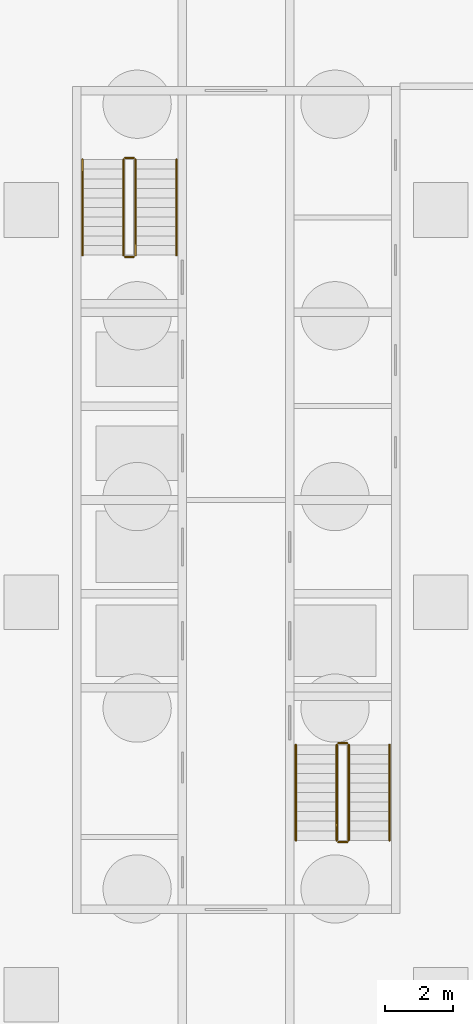
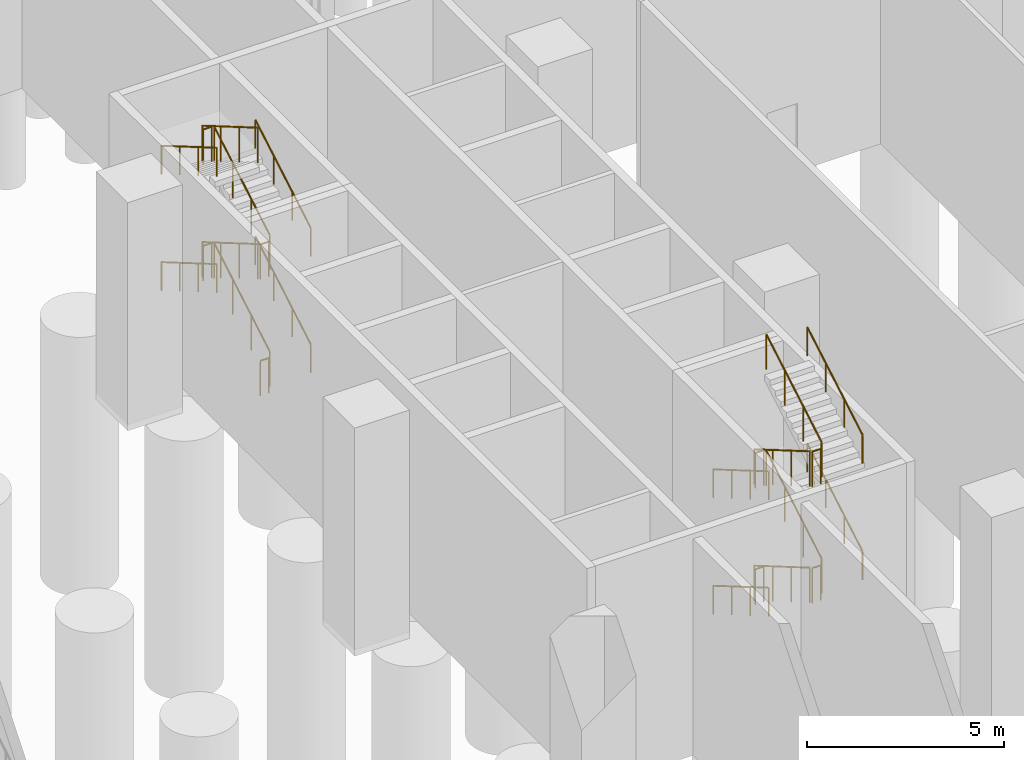
# One storey, part 44 of 48: 24 railings.
"""IFC4 building model written with IfcOpenShell, lengths in metres."""

from ifc_helpers import new_model, si_unit, direction, frame, origin, origin_2d, place, context, subcontext, project, spatial, circle, extrude, material, type_object, element, save


model = new_model("IFC4")

# Units and contexts
model_context = context("Model", 3, precision=1e-05, world=origin(), true_north=direction((0.0, 1.0)))
body_context = subcontext(model_context, "Body", "Model", "MODEL_VIEW")
ifc_project = project(units=[si_unit("LENGTHUNIT", "METRE"), si_unit("AREAUNIT", "SQUARE_METRE"), si_unit("VOLUMEUNIT", "CUBIC_METRE"), si_unit("PLANEANGLEUNIT", "RADIAN"), si_unit("MASSUNIT", "GRAM", prefix="KILO")], contexts=[model_context])

# Site, building, storey
site_placement = place(None, origin())
site = spatial("IfcSite", under=ifc_project, at=site_placement, CompositionType="ELEMENT")
building_placement = place(site_placement, origin())
building = spatial("IfcBuilding", under=site, at=building_placement, Name="Mahtab Terrace Research Tower", CompositionType="ELEMENT")
storey_placement = place(building_placement, origin())
storey = spatial("IfcBuildingStorey", under=building, at=storey_placement, Name="G", CompositionType="ELEMENT", Elevation=0.0)

# Railings
ifc_material = material(Name="Stainless steel AISI 304", Category="steel")
railing_type_1 = type_object("IfcRailingType", Name="Stair guard 1100", PredefinedType="GUARDRAIL", material=ifc_material)
railing_1_placement = place(storey_placement, frame((21.050048828125, 10.175048828125, 0.16357421875)))
element("IfcRailing", 1, at=railing_1_placement, inside=storey, type_object=railing_type_1, Name="G ST3 stair guard 1", PredefinedType="GUARDRAIL", context=body_context, shape_type="SweptSolid", body=[
    extrude(circle(Radius=0.02392578125, at=origin_2d()), frame((0.0, 0.0, 1.076171875), z_axis=(0.0, 0.863360870873, 0.504586966384), x_axis=(-1.0, 0.0, 0.0)), (0.0, 0.0, 1.0), 3.2431640625),
    extrude(circle(Radius=0.02099609375, at=origin_2d()), origin(), (0.0, 0.0, 1.0), 1.052001953125),
    extrude(circle(Radius=0.02099609375, at=origin_2d()), frame((0.0, 0.933349609375, 0.54541015625)), (0.0, 0.0, 1.0), 1.052001953125),
    extrude(circle(Radius=0.02099609375, at=origin_2d()), frame((0.0, 1.86669921875, 1.091064453125)), (0.0, 0.0, 1.0), 1.052001953125),
    extrude(circle(Radius=0.02099609375, at=origin_2d()), frame((0.0, 2.800048828125, 1.636474609375)), (0.0, 0.0, 1.0), 1.052001953125),
])
railing_2_placement = place(storey_placement, frame((21.0, 13.02490234375, 1.800048828125)))
element("IfcRailing", 2, at=railing_2_placement, inside=storey, type_object=railing_type_1, Name="G ST3 stair guard 2", PredefinedType="GUARDRAIL", context=body_context, shape_type="SweptSolid", body=[
    extrude(circle(Radius=0.02392578125, at=origin_2d()), frame((0.0, 0.0, 1.076171875), z_axis=(-1.0, 0.0, 0.0), x_axis=(0.0, -1.0, 0.0)), (0.0, 0.0, 1.0), 0.25),
    extrude(circle(Radius=0.02099609375, at=origin_2d()), origin(), (0.0, 0.0, 1.0), 1.052001953125),
    extrude(circle(Radius=0.02099609375, at=origin_2d()), frame((-0.25, 0.0, 0.0)), (0.0, 0.0, 1.0), 1.052001953125),
])
railing_3_placement = place(storey_placement, frame((20.699951171875, 12.97509765625, 1.963623046875)))
element("IfcRailing", 3, at=railing_3_placement, inside=storey, type_object=railing_type_1, Name="G ST3 stair guard 3", PredefinedType="GUARDRAIL", context=body_context, shape_type="SweptSolid", body=[
    extrude(circle(Radius=0.02392578125, at=origin_2d()), frame((0.0, 0.0, 1.076171875), z_axis=(0.0, -0.863360870873, 0.504586966384), x_axis=(1.0, 0.0, 0.0)), (0.0, 0.0, 1.0), 3.2431640625),
    extrude(circle(Radius=0.02099609375, at=origin_2d()), origin(), (0.0, 0.0, 1.0), 1.052001953125),
    extrude(circle(Radius=0.02099609375, at=origin_2d()), frame((0.0, -0.933349609375, 0.54541015625)), (0.0, 0.0, 1.0), 1.052001953125),
    extrude(circle(Radius=0.02099609375, at=origin_2d()), frame((0.0, -1.86669921875, 1.091064453125)), (0.0, 0.0, 1.0), 1.052001953125),
    extrude(circle(Radius=0.02099609375, at=origin_2d()), frame((0.0, -2.800048828125, 1.636474609375)), (0.0, 0.0, 1.0), 1.052001953125),
])
railing_4_placement = place(storey_placement, frame((21.0, 10.125, 3.60009765625)))
element("IfcRailing", 4, at=railing_4_placement, inside=storey, type_object=railing_type_1, Name="G ST3 stair guard 4", PredefinedType="GUARDRAIL", context=body_context, shape_type="SweptSolid", body=[
    extrude(circle(Radius=0.02392578125, at=origin_2d()), frame((0.0, 0.0, 1.076171875), z_axis=(-1.0, 0.0, 0.0), x_axis=(0.0, -1.0, 0.0)), (0.0, 0.0, 1.0), 0.25),
    extrude(circle(Radius=0.02099609375, at=origin_2d()), origin(), (0.0, 0.0, 1.0), 1.052001953125),
    extrude(circle(Radius=0.02099609375, at=origin_2d()), frame((-0.25, 0.0, 0.0)), (0.0, 0.0, 1.0), 1.052001953125),
])
railing_5_placement = place(storey_placement, frame((21.050048828125, 10.175048828125, 3.763671875)))
element("IfcRailing", 5, at=railing_5_placement, inside=storey, type_object=railing_type_1, Name="G ST3 stair guard 5", PredefinedType="GUARDRAIL", context=body_context, shape_type="SweptSolid", body=[
    extrude(circle(Radius=0.02392578125, at=origin_2d()), frame((0.0, 0.0, 1.076171875), z_axis=(0.0, 0.863393664356, 0.504530851732), x_axis=(-1.0, 0.0, 0.0)), (0.0, 0.0, 1.0), 3.2431640625),
    extrude(circle(Radius=0.02099609375, at=origin_2d()), origin(), (0.0, 0.0, 1.0), 1.052001953125),
    extrude(circle(Radius=0.02099609375, at=origin_2d()), frame((0.0, 0.933349609375, 0.54541015625)), (0.0, 0.0, 1.0), 1.052001953125),
    extrude(circle(Radius=0.02099609375, at=origin_2d()), frame((0.0, 1.86669921875, 1.0908203125)), (0.0, 0.0, 1.0), 1.052001953125),
    extrude(circle(Radius=0.02099609375, at=origin_2d()), frame((0.0, 2.800048828125, 1.63623046875)), (0.0, 0.0, 1.0), 1.052001953125),
])
railing_6_placement = place(storey_placement, frame((21.0, 13.02490234375, 5.39990234375)))
element("IfcRailing", 6, at=railing_6_placement, inside=storey, type_object=railing_type_1, Name="G ST3 stair guard 6", PredefinedType="GUARDRAIL", context=body_context, shape_type="SweptSolid", body=[
    extrude(circle(Radius=0.02392578125, at=origin_2d()), frame((0.0, 0.0, 1.076171875), z_axis=(-1.0, 0.0, 0.0), x_axis=(0.0, -1.0, 0.0)), (0.0, 0.0, 1.0), 0.25),
    extrude(circle(Radius=0.02099609375, at=origin_2d()), origin(), (0.0, 0.0, 1.0), 1.052001953125),
    extrude(circle(Radius=0.02099609375, at=origin_2d()), frame((-0.25, 0.0, 0.0)), (0.0, 0.0, 1.0), 1.052001953125),
])
railing_7_placement = place(storey_placement, frame((20.699951171875, 12.97509765625, 5.563720703125)))
element("IfcRailing", 7, at=railing_7_placement, inside=storey, type_object=railing_type_1, Name="G ST3 stair guard 7", PredefinedType="GUARDRAIL", context=body_context, shape_type="SweptSolid", body=[
    extrude(circle(Radius=0.02392578125, at=origin_2d()), frame((0.0, 0.0, 1.076171875), z_axis=(0.0, -0.863393664356, 0.504530851732), x_axis=(1.0, 0.0, 0.0)), (0.0, 0.0, 1.0), 3.2431640625),
    extrude(circle(Radius=0.02099609375, at=origin_2d()), origin(), (0.0, 0.0, 1.0), 1.052001953125),
    extrude(circle(Radius=0.02099609375, at=origin_2d()), frame((0.0, -0.933349609375, 0.54541015625)), (0.0, 0.0, 1.0), 1.052001953125),
    extrude(circle(Radius=0.02099609375, at=origin_2d()), frame((0.0, -1.86669921875, 1.0908203125)), (0.0, 0.0, 1.0), 1.052001953125),
    extrude(circle(Radius=0.02099609375, at=origin_2d()), frame((0.0, -2.800048828125, 1.63623046875)), (0.0, 0.0, 1.0), 1.052001953125),
])
railing_8_placement = place(storey_placement, frame((21.0, 10.125, 0.0)))
element("IfcRailing", 8, at=railing_8_placement, inside=storey, type_object=railing_type_1, Name="G ST3 stair guard 8", PredefinedType="GUARDRAIL", context=body_context, shape_type="SweptSolid", body=[
    extrude(circle(Radius=0.02392578125, at=origin_2d()), frame((0.0, 0.0, 1.076171875), z_axis=(-1.0, 0.0, 0.0), x_axis=(0.0, -1.0, 0.0)), (0.0, 0.0, 1.0), 0.25),
    extrude(circle(Radius=0.02099609375, at=origin_2d()), origin(), (0.0, 0.0, 1.0), 1.052001953125),
    extrude(circle(Radius=0.02099609375, at=origin_2d()), frame((-0.25, 0.0, 0.0)), (0.0, 0.0, 1.0), 1.052001953125),
])
railing_9_placement = place(storey_placement, frame((26.949951171875, -4.175048828125, 0.16357421875)))
element("IfcRailing", 9, at=railing_9_placement, inside=storey, type_object=railing_type_1, Name="G ST4 stair guard 1", PredefinedType="GUARDRAIL", context=body_context, shape_type="SweptSolid", body=[
    extrude(circle(Radius=0.02392578125, at=origin_2d()), frame((0.0, 0.0, 1.076171875), z_axis=(0.0, -0.863360870873, 0.504586966384), x_axis=(1.0, 0.0, 0.0)), (0.0, 0.0, 1.0), 3.2431640625),
    extrude(circle(Radius=0.02099609375, at=origin_2d()), origin(), (0.0, 0.0, 1.0), 1.052001953125),
    extrude(circle(Radius=0.02099609375, at=origin_2d()), frame((0.0, -0.933349609375, 0.54541015625)), (0.0, 0.0, 1.0), 1.052001953125),
    extrude(circle(Radius=0.02099609375, at=origin_2d()), frame((0.0, -1.86669921875, 1.091064453125)), (0.0, 0.0, 1.0), 1.052001953125),
    extrude(circle(Radius=0.02099609375, at=origin_2d()), frame((0.0, -2.800048828125, 1.636474609375)), (0.0, 0.0, 1.0), 1.052001953125),
])
railing_10_placement = place(storey_placement, frame((27.0, -7.02490234375, 1.800048828125)))
element("IfcRailing", 10, at=railing_10_placement, inside=storey, type_object=railing_type_1, Name="G ST4 stair guard 2", PredefinedType="GUARDRAIL", context=body_context, shape_type="SweptSolid", body=[
    extrude(circle(Radius=0.02392578125, at=origin_2d()), frame((0.0, 0.0, 1.076171875), z_axis=(1.0, 0.0, 0.0), x_axis=(0.0, 1.0, 0.0)), (0.0, 0.0, 1.0), 0.25),
    extrude(circle(Radius=0.02099609375, at=origin_2d()), origin(), (0.0, 0.0, 1.0), 1.052001953125),
    extrude(circle(Radius=0.02099609375, at=origin_2d()), frame((0.25, 0.0, 0.0)), (0.0, 0.0, 1.0), 1.052001953125),
])
railing_11_placement = place(storey_placement, frame((27.300048828125, -6.97509765625, 1.963623046875)))
element("IfcRailing", 11, at=railing_11_placement, inside=storey, type_object=railing_type_1, Name="G ST4 stair guard 3", PredefinedType="GUARDRAIL", context=body_context, shape_type="SweptSolid", body=[
    extrude(circle(Radius=0.02392578125, at=origin_2d()), frame((0.0, 0.0, 1.076171875), z_axis=(0.0, 0.863360870873, 0.504586966384), x_axis=(-1.0, 0.0, 0.0)), (0.0, 0.0, 1.0), 3.2431640625),
    extrude(circle(Radius=0.02099609375, at=origin_2d()), origin(), (0.0, 0.0, 1.0), 1.052001953125),
    extrude(circle(Radius=0.02099609375, at=origin_2d()), frame((0.0, 0.933349609375, 0.54541015625)), (0.0, 0.0, 1.0), 1.052001953125),
    extrude(circle(Radius=0.02099609375, at=origin_2d()), frame((0.0, 1.86669921875, 1.091064453125)), (0.0, 0.0, 1.0), 1.052001953125),
    extrude(circle(Radius=0.02099609375, at=origin_2d()), frame((0.0, 2.800048828125, 1.636474609375)), (0.0, 0.0, 1.0), 1.052001953125),
])
railing_12_placement = place(storey_placement, frame((27.0, -4.125, 3.60009765625)))
element("IfcRailing", 12, at=railing_12_placement, inside=storey, type_object=railing_type_1, Name="G ST4 stair guard 4", PredefinedType="GUARDRAIL", context=body_context, shape_type="SweptSolid", body=[
    extrude(circle(Radius=0.02392578125, at=origin_2d()), frame((0.0, 0.0, 1.076171875), z_axis=(1.0, 0.0, 0.0), x_axis=(0.0, 1.0, 0.0)), (0.0, 0.0, 1.0), 0.25),
    extrude(circle(Radius=0.02099609375, at=origin_2d()), origin(), (0.0, 0.0, 1.0), 1.052001953125),
    extrude(circle(Radius=0.02099609375, at=origin_2d()), frame((0.25, 0.0, 0.0)), (0.0, 0.0, 1.0), 1.052001953125),
])
railing_13_placement = place(storey_placement, frame((26.949951171875, -4.175048828125, 3.763671875)))
element("IfcRailing", 13, at=railing_13_placement, inside=storey, type_object=railing_type_1, Name="G ST4 stair guard 5", PredefinedType="GUARDRAIL", context=body_context, shape_type="SweptSolid", body=[
    extrude(circle(Radius=0.02392578125, at=origin_2d()), frame((0.0, 0.0, 1.076171875), z_axis=(0.0, -0.863393664356, 0.504530851732), x_axis=(1.0, 0.0, 0.0)), (0.0, 0.0, 1.0), 3.2431640625),
    extrude(circle(Radius=0.02099609375, at=origin_2d()), origin(), (0.0, 0.0, 1.0), 1.052001953125),
    extrude(circle(Radius=0.02099609375, at=origin_2d()), frame((0.0, -0.933349609375, 0.54541015625)), (0.0, 0.0, 1.0), 1.052001953125),
    extrude(circle(Radius=0.02099609375, at=origin_2d()), frame((0.0, -1.86669921875, 1.0908203125)), (0.0, 0.0, 1.0), 1.052001953125),
    extrude(circle(Radius=0.02099609375, at=origin_2d()), frame((0.0, -2.800048828125, 1.63623046875)), (0.0, 0.0, 1.0), 1.052001953125),
])
railing_14_placement = place(storey_placement, frame((27.0, -7.02490234375, 5.39990234375)))
element("IfcRailing", 14, at=railing_14_placement, inside=storey, type_object=railing_type_1, Name="G ST4 stair guard 6", PredefinedType="GUARDRAIL", context=body_context, shape_type="SweptSolid", body=[
    extrude(circle(Radius=0.02392578125, at=origin_2d()), frame((0.0, 0.0, 1.076171875), z_axis=(1.0, 0.0, 0.0), x_axis=(0.0, 1.0, 0.0)), (0.0, 0.0, 1.0), 0.25),
    extrude(circle(Radius=0.02099609375, at=origin_2d()), origin(), (0.0, 0.0, 1.0), 1.052001953125),
    extrude(circle(Radius=0.02099609375, at=origin_2d()), frame((0.25, 0.0, 0.0)), (0.0, 0.0, 1.0), 1.052001953125),
])
railing_15_placement = place(storey_placement, frame((27.300048828125, -6.97509765625, 5.563720703125)))
element("IfcRailing", 15, at=railing_15_placement, inside=storey, type_object=railing_type_1, Name="G ST4 stair guard 7", PredefinedType="GUARDRAIL", context=body_context, shape_type="SweptSolid", body=[
    extrude(circle(Radius=0.02392578125, at=origin_2d()), frame((0.0, 0.0, 1.076171875), z_axis=(0.0, 0.863393664356, 0.504530851732), x_axis=(-1.0, 0.0, 0.0)), (0.0, 0.0, 1.0), 3.2431640625),
    extrude(circle(Radius=0.02099609375, at=origin_2d()), origin(), (0.0, 0.0, 1.0), 1.052001953125),
    extrude(circle(Radius=0.02099609375, at=origin_2d()), frame((0.0, 0.933349609375, 0.54541015625)), (0.0, 0.0, 1.0), 1.052001953125),
    extrude(circle(Radius=0.02099609375, at=origin_2d()), frame((0.0, 1.86669921875, 1.0908203125)), (0.0, 0.0, 1.0), 1.052001953125),
    extrude(circle(Radius=0.02099609375, at=origin_2d()), frame((0.0, 2.800048828125, 1.63623046875)), (0.0, 0.0, 1.0), 1.052001953125),
])
railing_16_placement = place(storey_placement, frame((27.0, -4.125, 0.0)))
element("IfcRailing", 16, at=railing_16_placement, inside=storey, type_object=railing_type_1, Name="G ST4 stair guard 8", PredefinedType="GUARDRAIL", context=body_context, shape_type="SweptSolid", body=[
    extrude(circle(Radius=0.02392578125, at=origin_2d()), frame((0.0, 0.0, 1.076171875), z_axis=(1.0, 0.0, 0.0), x_axis=(0.0, 1.0, 0.0)), (0.0, 0.0, 1.0), 0.25),
    extrude(circle(Radius=0.02099609375, at=origin_2d()), origin(), (0.0, 0.0, 1.0), 1.052001953125),
    extrude(circle(Radius=0.02099609375, at=origin_2d()), frame((0.25, 0.0, 0.0)), (0.0, 0.0, 1.0), 1.052001953125),
])
railing_type_2 = type_object("IfcRailingType", Name="Stair handrail 900", PredefinedType="HANDRAIL", material=ifc_material)
railing_17_placement = place(storey_placement, frame((22.25, 10.175048828125, 0.16357421875)))
element("IfcRailing", 17, at=railing_17_placement, inside=storey, type_object=railing_type_2, Name="G ST3 stair handrail 1", PredefinedType="HANDRAIL", context=body_context, shape_type="SweptSolid", body=[
    extrude(circle(Radius=0.02392578125, at=origin_2d()), frame((0.0, 0.0, 0.8759765625), z_axis=(0.0, 0.863360870873, 0.504586966384), x_axis=(-1.0, 0.0, 0.0)), (0.0, 0.0, 1.0), 3.2431640625),
    extrude(circle(Radius=0.02099609375, at=origin_2d()), origin(), (0.0, 0.0, 1.0), 0.851806640625),
    extrude(circle(Radius=0.02099609375, at=origin_2d()), frame((0.0, 0.933349609375, 0.54541015625)), (0.0, 0.0, 1.0), 0.851806640625),
    extrude(circle(Radius=0.02099609375, at=origin_2d()), frame((0.0, 1.86669921875, 1.091064453125)), (0.0, 0.0, 1.0), 0.851806640625),
    extrude(circle(Radius=0.02099609375, at=origin_2d()), frame((0.0, 2.800048828125, 1.636474609375)), (0.0, 0.0, 1.0), 0.851806640625),
])
railing_18_placement = place(storey_placement, frame((19.5, 12.97509765625, 1.963623046875)))
element("IfcRailing", 18, at=railing_18_placement, inside=storey, type_object=railing_type_2, Name="G ST3 stair handrail 2", PredefinedType="HANDRAIL", context=body_context, shape_type="SweptSolid", body=[
    extrude(circle(Radius=0.02392578125, at=origin_2d()), frame((0.0, 0.0, 0.8759765625), z_axis=(0.0, -0.863360870873, 0.504586966384), x_axis=(1.0, 0.0, 0.0)), (0.0, 0.0, 1.0), 3.2431640625),
    extrude(circle(Radius=0.02099609375, at=origin_2d()), origin(), (0.0, 0.0, 1.0), 0.851806640625),
    extrude(circle(Radius=0.02099609375, at=origin_2d()), frame((0.0, -0.933349609375, 0.54541015625)), (0.0, 0.0, 1.0), 0.851806640625),
    extrude(circle(Radius=0.02099609375, at=origin_2d()), frame((0.0, -1.86669921875, 1.091064453125)), (0.0, 0.0, 1.0), 0.851806640625),
    extrude(circle(Radius=0.02099609375, at=origin_2d()), frame((0.0, -2.800048828125, 1.636474609375)), (0.0, 0.0, 1.0), 0.851806640625),
])
railing_19_placement = place(storey_placement, frame((22.25, 10.175048828125, 3.763671875)))
element("IfcRailing", 19, at=railing_19_placement, inside=storey, type_object=railing_type_2, Name="G ST3 stair handrail 3", PredefinedType="HANDRAIL", context=body_context, shape_type="SweptSolid", body=[
    extrude(circle(Radius=0.02392578125, at=origin_2d()), frame((0.0, 0.0, 0.8759765625), z_axis=(0.0, 0.863393664356, 0.504530851732), x_axis=(-1.0, 0.0, 0.0)), (0.0, 0.0, 1.0), 3.2431640625),
    extrude(circle(Radius=0.02099609375, at=origin_2d()), origin(), (0.0, 0.0, 1.0), 0.851806640625),
    extrude(circle(Radius=0.02099609375, at=origin_2d()), frame((0.0, 0.933349609375, 0.54541015625)), (0.0, 0.0, 1.0), 0.851806640625),
    extrude(circle(Radius=0.02099609375, at=origin_2d()), frame((0.0, 1.86669921875, 1.0908203125)), (0.0, 0.0, 1.0), 0.851806640625),
    extrude(circle(Radius=0.02099609375, at=origin_2d()), frame((0.0, 2.800048828125, 1.63623046875)), (0.0, 0.0, 1.0), 0.851806640625),
])
railing_20_placement = place(storey_placement, frame((19.5, 12.97509765625, 5.563720703125)))
element("IfcRailing", 20, at=railing_20_placement, inside=storey, type_object=railing_type_2, Name="G ST3 stair handrail 4", PredefinedType="HANDRAIL", context=body_context, shape_type="SweptSolid", body=[
    extrude(circle(Radius=0.02392578125, at=origin_2d()), frame((0.0, 0.0, 0.8759765625), z_axis=(0.0, -0.863393664356, 0.504530851732), x_axis=(1.0, 0.0, 0.0)), (0.0, 0.0, 1.0), 3.2431640625),
    extrude(circle(Radius=0.02099609375, at=origin_2d()), origin(), (0.0, 0.0, 1.0), 0.851806640625),
    extrude(circle(Radius=0.02099609375, at=origin_2d()), frame((0.0, -0.933349609375, 0.54541015625)), (0.0, 0.0, 1.0), 0.851806640625),
    extrude(circle(Radius=0.02099609375, at=origin_2d()), frame((0.0, -1.86669921875, 1.0908203125)), (0.0, 0.0, 1.0), 0.851806640625),
    extrude(circle(Radius=0.02099609375, at=origin_2d()), frame((0.0, -2.800048828125, 1.63623046875)), (0.0, 0.0, 1.0), 0.851806640625),
])
railing_21_placement = place(storey_placement, frame((25.75, -4.175048828125, 0.16357421875)))
element("IfcRailing", 21, at=railing_21_placement, inside=storey, type_object=railing_type_2, Name="G ST4 stair handrail 1", PredefinedType="HANDRAIL", context=body_context, shape_type="SweptSolid", body=[
    extrude(circle(Radius=0.02392578125, at=origin_2d()), frame((0.0, 0.0, 0.8759765625), z_axis=(0.0, -0.863360870873, 0.504586966384), x_axis=(1.0, 0.0, 0.0)), (0.0, 0.0, 1.0), 3.2431640625),
    extrude(circle(Radius=0.02099609375, at=origin_2d()), origin(), (0.0, 0.0, 1.0), 0.851806640625),
    extrude(circle(Radius=0.02099609375, at=origin_2d()), frame((0.0, -0.933349609375, 0.54541015625)), (0.0, 0.0, 1.0), 0.851806640625),
    extrude(circle(Radius=0.02099609375, at=origin_2d()), frame((0.0, -1.86669921875, 1.091064453125)), (0.0, 0.0, 1.0), 0.851806640625),
    extrude(circle(Radius=0.02099609375, at=origin_2d()), frame((0.0, -2.800048828125, 1.636474609375)), (0.0, 0.0, 1.0), 0.851806640625),
])
railing_22_placement = place(storey_placement, frame((28.5, -6.97509765625, 1.963623046875)))
element("IfcRailing", 22, at=railing_22_placement, inside=storey, type_object=railing_type_2, Name="G ST4 stair handrail 2", PredefinedType="HANDRAIL", context=body_context, shape_type="SweptSolid", body=[
    extrude(circle(Radius=0.02392578125, at=origin_2d()), frame((0.0, 0.0, 0.8759765625), z_axis=(0.0, 0.863360870873, 0.504586966384), x_axis=(-1.0, 0.0, 0.0)), (0.0, 0.0, 1.0), 3.2431640625),
    extrude(circle(Radius=0.02099609375, at=origin_2d()), origin(), (0.0, 0.0, 1.0), 0.851806640625),
    extrude(circle(Radius=0.02099609375, at=origin_2d()), frame((0.0, 0.933349609375, 0.54541015625)), (0.0, 0.0, 1.0), 0.851806640625),
    extrude(circle(Radius=0.02099609375, at=origin_2d()), frame((0.0, 1.86669921875, 1.091064453125)), (0.0, 0.0, 1.0), 0.851806640625),
    extrude(circle(Radius=0.02099609375, at=origin_2d()), frame((0.0, 2.800048828125, 1.636474609375)), (0.0, 0.0, 1.0), 0.851806640625),
])
railing_23_placement = place(storey_placement, frame((25.75, -4.175048828125, 3.763671875)))
element("IfcRailing", 23, at=railing_23_placement, inside=storey, type_object=railing_type_2, Name="G ST4 stair handrail 3", PredefinedType="HANDRAIL", context=body_context, shape_type="SweptSolid", body=[
    extrude(circle(Radius=0.02392578125, at=origin_2d()), frame((0.0, 0.0, 0.8759765625), z_axis=(0.0, -0.863393664356, 0.504530851732), x_axis=(1.0, 0.0, 0.0)), (0.0, 0.0, 1.0), 3.2431640625),
    extrude(circle(Radius=0.02099609375, at=origin_2d()), origin(), (0.0, 0.0, 1.0), 0.851806640625),
    extrude(circle(Radius=0.02099609375, at=origin_2d()), frame((0.0, -0.933349609375, 0.54541015625)), (0.0, 0.0, 1.0), 0.851806640625),
    extrude(circle(Radius=0.02099609375, at=origin_2d()), frame((0.0, -1.86669921875, 1.0908203125)), (0.0, 0.0, 1.0), 0.851806640625),
    extrude(circle(Radius=0.02099609375, at=origin_2d()), frame((0.0, -2.800048828125, 1.63623046875)), (0.0, 0.0, 1.0), 0.851806640625),
])
railing_24_placement = place(storey_placement, frame((28.5, -6.97509765625, 5.563720703125)))
element("IfcRailing", 24, at=railing_24_placement, inside=storey, type_object=railing_type_2, Name="G ST4 stair handrail 4", PredefinedType="HANDRAIL", context=body_context, shape_type="SweptSolid", body=[
    extrude(circle(Radius=0.02392578125, at=origin_2d()), frame((0.0, 0.0, 0.8759765625), z_axis=(0.0, 0.863393664356, 0.504530851732), x_axis=(-1.0, 0.0, 0.0)), (0.0, 0.0, 1.0), 3.2431640625),
    extrude(circle(Radius=0.02099609375, at=origin_2d()), origin(), (0.0, 0.0, 1.0), 0.851806640625),
    extrude(circle(Radius=0.02099609375, at=origin_2d()), frame((0.0, 0.933349609375, 0.54541015625)), (0.0, 0.0, 1.0), 0.851806640625),
    extrude(circle(Radius=0.02099609375, at=origin_2d()), frame((0.0, 1.86669921875, 1.0908203125)), (0.0, 0.0, 1.0), 0.851806640625),
    extrude(circle(Radius=0.02099609375, at=origin_2d()), frame((0.0, 2.800048828125, 1.63623046875)), (0.0, 0.0, 1.0), 0.851806640625),
])

save(model, "model.ifc")
